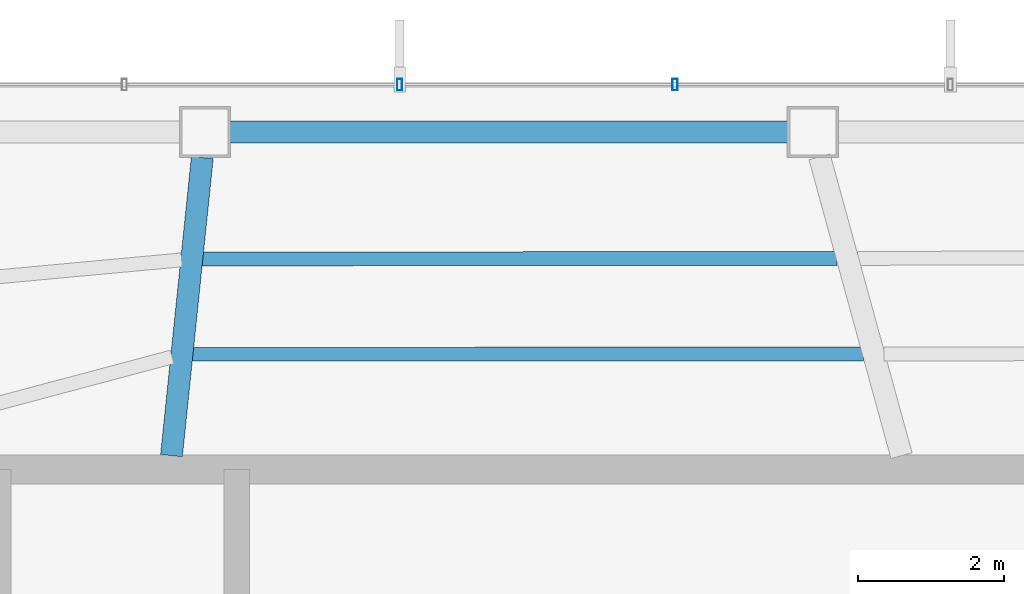
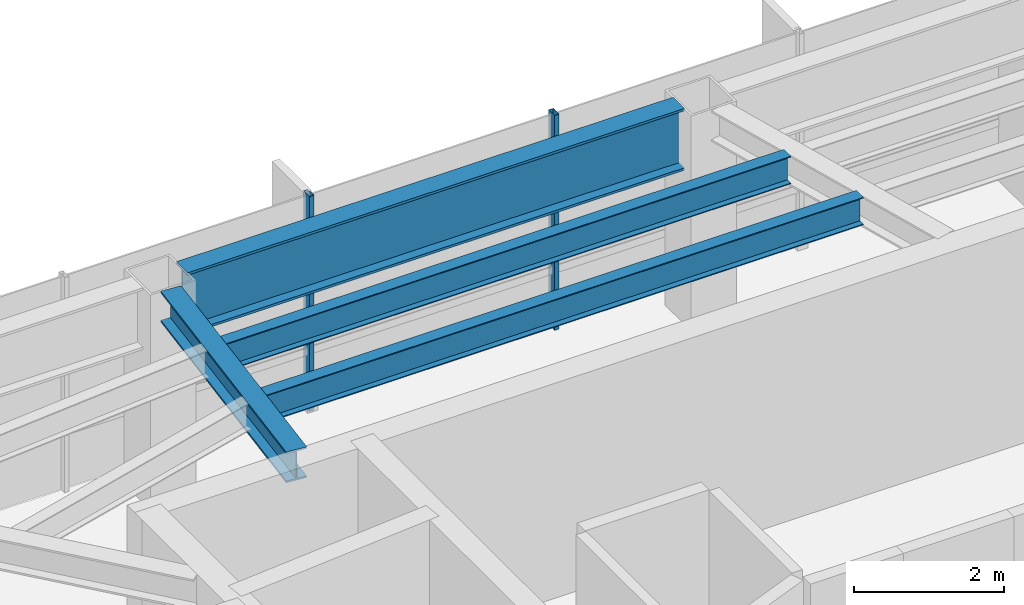
# One storey, part 13 of 27: 4 beams, 2 members, 1 element without a shape of its own.
"""IFC4 building model written with IfcOpenShell, lengths in metres."""

import ifcopenshell
import ifcopenshell.guid

model = None  # the IFC model being written
_history = None  # IfcOwnerHistory: only IFC2X3 demands one
_inside = {}  # id of a spatial element -> (the spatial element, [elements in it])
_under = {}  # id of a project, library or spatial element -> (it, [spatial elements below it])
_declared = {}  # id of a project -> (the project, [libraries it declares])
_typed = {}  # id of a type object -> (the type object, [elements of that type])
_made_of = {}  # id of a material, layer set ... -> (it, [elements and type objects made of it])


def new_model(schema):
    """Start an empty IFC model of exactly this schema.

    Asked for "IFC4X3", IfcOpenShell would pick the latest addendum, in which some entities
    have other attributes; the version numbers below select the first issue.
    IFC2X3 requires an IfcOwnerHistory on every rooted entity: one is made here for all.
    """
    global model, _history
    if schema == "IFC4X3":
        model = ifcopenshell.file(schema_version=(4, 3, 0, 0))
    else:
        model = ifcopenshell.file(schema=schema)
    _inside.clear()
    _under.clear()
    _declared.clear()
    _typed.clear()
    _made_of.clear()
    _history = None
    if model.schema == "IFC2X3":
        org = make("IfcOrganization", Name="unknown")
        user = make(
            "IfcPersonAndOrganization",
            ThePerson=make("IfcPerson", FamilyName="unknown"),
            TheOrganization=org,
        )
        app = make(
            "IfcApplication",
            ApplicationDeveloper=org,
            Version="unknown",
            ApplicationFullName="unknown",
            ApplicationIdentifier="unknown",
        )
        _history = make(
            "IfcOwnerHistory",
            OwningUser=user,
            OwningApplication=app,
            ChangeAction="ADDED",
            CreationDate=0,
        )
    return model


def make(cls, **values):
    """One entity of the class cls with the attributes given. An attribute that is None is left unset."""
    return model.create_entity(
        cls, **{name: value for name, value in values.items() if value is not None}
    )


def rooted(cls, **values):
    """An entity with a GlobalId (a new one), such as an element, a storey or a relation."""
    return make(cls, GlobalId=ifcopenshell.guid.new(), OwnerHistory=_history, **values)


def si_unit(unit_type, name, prefix=None):
    """IfcSIUnit, for example si_unit("LENGTHUNIT", "METRE", prefix="MILLI")."""
    return make("IfcSIUnit", UnitType=unit_type, Prefix=prefix, Name=name)


def assignment(units):
    """IfcUnitAssignment: the units of a project."""
    return None if units is None else make("IfcUnitAssignment", Units=units)


def point(xyz):
    """IfcCartesianPoint."""
    return None if xyz is None else make("IfcCartesianPoint", Coordinates=xyz)


def direction(xyz):
    """IfcDirection."""
    return None if xyz is None else make("IfcDirection", DirectionRatios=xyz)


def frame(location, z_axis=None, x_axis=None):
    """IfcAxis2Placement3D, a coordinate frame: its origin and axes. An axis left out is left unset."""
    return make(
        "IfcAxis2Placement3D",
        Location=point(location),
        Axis=direction(z_axis),
        RefDirection=direction(x_axis),
    )


def frame_2d(location, x_axis=None):
    """IfcAxis2Placement2D, a coordinate frame in the plane: its origin and x axis."""
    return make(
        "IfcAxis2Placement2D", Location=point(location), RefDirection=direction(x_axis)
    )


def origin():
    """The frame at (0, 0, 0) with its axes left unset."""
    return frame((0.0, 0.0, 0.0))


def origin_2d():
    """The frame at (0, 0) in the plane with its x axis left unset."""
    return frame_2d((0.0, 0.0))


def place(relative_to, where):
    """IfcLocalPlacement: puts the frame where relative to a parent placement (None: the world)."""
    return make(
        "IfcLocalPlacement", PlacementRelTo=relative_to, RelativePlacement=where
    )


def context(
    kind, dimensions, precision=None, world=None, true_north=None, identifier=None
):
    """IfcGeometricRepresentationContext, for example the 3D "Model" context."""
    return make(
        "IfcGeometricRepresentationContext",
        ContextIdentifier=identifier,
        ContextType=kind,
        CoordinateSpaceDimension=dimensions,
        Precision=precision,
        WorldCoordinateSystem=world,
        TrueNorth=true_north,
    )


def subcontext(parent, identifier, kind, view, scale=None):
    """IfcGeometricRepresentationSubContext, for example "Body" below "Model"."""
    return make(
        "IfcGeometricRepresentationSubContext",
        ContextIdentifier=identifier,
        ContextType=kind,
        ParentContext=parent,
        TargetScale=scale,
        TargetView=view,
    )


def project(units=None, contexts=None):
    """IfcProject with its units and contexts."""
    return rooted(
        "IfcProject",
        Name="project",
        RepresentationContexts=contexts,
        UnitsInContext=assignment(units),
    )


def spatial(cls, under=None, at=None, **own):
    """A site, building, storey or space (cls), placed at a placement, below another one or the project."""
    s = rooted(cls, ObjectPlacement=at, **own)
    if under is not None:
        _under.setdefault(under.id(), (under, []))[1].append(s)
    return s


def profile(cls, at=None, kind="AREA", **sizes):
    """A parametric profile (cls). Its sizes go by their IFC names, for example OverallWidth=200.0."""
    return make(cls, ProfileType=kind, Position=at, **sizes)


def hollow_rectangle(**sizes):
    """IfcRectangleHollowProfileDef."""
    return profile("IfcRectangleHollowProfileDef", **sizes)


def i_section(**sizes):
    """IfcIShapeProfileDef."""
    return profile("IfcIShapeProfileDef", **sizes)


def extrude(swept, where, along, depth):
    """IfcExtrudedAreaSolid: the profile swept, set in the frame where, extruded along a direction by depth."""
    return make(
        "IfcExtrudedAreaSolid",
        SweptArea=swept,
        Position=where,
        ExtrudedDirection=direction(along),
        Depth=depth,
    )


def shape(context_of_items, identifier, shape_type, items):
    """IfcShapeRepresentation: the items that make up one representation, for example the "Body"."""
    return make(
        "IfcShapeRepresentation",
        ContextOfItems=context_of_items,
        RepresentationIdentifier=identifier,
        RepresentationType=shape_type,
        Items=items,
    )


def material(Name=None, Category=None):
    """IfcMaterial."""
    return make("IfcMaterial", Name=Name, Category=Category)


def layer(
    of_material, thickness, ventilated=None, Name=None, Category=None, Priority=None
):
    """IfcMaterialLayer: one layer of a wall or slab, of a material (None: an air gap)."""
    return make(
        "IfcMaterialLayer",
        Material=of_material,
        LayerThickness=thickness,
        IsVentilated=ventilated,
        Name=Name,
        Category=Category,
        Priority=Priority,
    )


def layer_set(layers, Name=None):
    """IfcMaterialLayerSet."""
    return make("IfcMaterialLayerSet", MaterialLayers=layers, LayerSetName=Name)


def material_profile(
    of_material, cross_section, Name=None, Category=None, Priority=None
):
    """IfcMaterialProfile: a cross section and its material."""
    return make(
        "IfcMaterialProfile",
        Name=Name,
        Material=of_material,
        Profile=cross_section,
        Priority=Priority,
        Category=Category,
    )


def profile_set(profiles, Name=None, composite=None):
    """IfcMaterialProfileSet."""
    return make(
        "IfcMaterialProfileSet",
        Name=Name,
        MaterialProfiles=profiles,
        CompositeProfile=composite,
    )


def made_of(thing, what):
    """Note that an element or type object is made of a material, layer set ...; save() writes the relation."""
    if what is not None:
        _made_of.setdefault(what.id(), (what, []))[1].append(thing)
    return thing


def type_object(cls, material=None, **own):
    """A type object (cls), such as IfcWallType, which elements share."""
    return made_of(rooted(cls, **own), material)


def element(
    cls,
    number,
    at=None,
    inside=None,
    cuts=None,
    type_object=None,
    material=None,
    context=None,
    identifier="Body",
    shape_type=None,
    held_by="IfcProductDefinitionShape",
    body=None,
    shapes=None,
    **own,
):
    """One element of the class cls, such as IfcWall. Its Tag is "e" and its number.

    at: its placement. inside: the storey or other place that contains it. cuts: it is an
    opening in that element (IfcRelVoidsElement). A single representation is given by context,
    identifier, shape_type and body (its items); several are given by shapes. held_by: the class
    of the entity that holds the representations. save() writes the other relations.
    """
    e = rooted(cls, Tag="e%d" % number, ObjectPlacement=at, **own)
    if body is not None:
        shapes = [shape(context, identifier, shape_type, body)]
    if shapes is not None:
        e.Representation = make(held_by, Representations=shapes)
    if inside is not None:
        _inside.setdefault(inside.id(), (inside, []))[1].append(e)
    if cuts is not None:
        rooted(
            "IfcRelVoidsElement", RelatingBuildingElement=cuts, RelatedOpeningElement=e
        )
    if type_object is not None:
        _typed.setdefault(type_object.id(), (type_object, []))[1].append(e)
    return made_of(e, material)


def aggregate(whole, parts):
    """IfcRelAggregates: a whole, such as a stair, and the parts it consists of."""
    return rooted("IfcRelAggregates", RelatingObject=whole, RelatedObjects=parts)


def save(model, path):
    """Write the relations noted so far, then the file.

    IfcRelAggregates (storeys below a building ...), IfcRelContainedInSpatialStructure (elements
    in a storey), IfcRelDefinesByType, IfcRelAssociatesMaterial and IfcRelDeclares: one each for
    every whole, place, type object, material and project.
    """
    for whole, parts in _under.values():
        aggregate(whole, parts)
    for where, things in _inside.values():
        rooted(
            "IfcRelContainedInSpatialStructure",
            RelatedElements=things,
            RelatingStructure=where,
        )
    for kind, things in _typed.values():
        rooted("IfcRelDefinesByType", RelatedObjects=things, RelatingType=kind)
    for what, things in _made_of.values():
        rooted("IfcRelAssociatesMaterial", RelatedObjects=things, RelatingMaterial=what)
    for by, libraries in _declared.values():
        rooted("IfcRelDeclares", RelatingContext=by, RelatedDefinitions=libraries)
    model.write(path)


model = new_model("IFC4")

# Units and contexts
model_context = context("Model", 3, precision=1e-05, world=origin(), true_north=direction((0.0, 1.0)))
body_context = subcontext(model_context, "Body", "Model", "MODEL_VIEW")
ifc_project = project(units=[si_unit("LENGTHUNIT", "METRE"), si_unit("AREAUNIT", "SQUARE_METRE"), si_unit("VOLUMEUNIT", "CUBIC_METRE"), si_unit("PLANEANGLEUNIT", "RADIAN"), si_unit("MASSUNIT", "GRAM", prefix="KILO")], contexts=[model_context])

# Site, building, storey
site_placement = place(None, origin())
site = spatial("IfcSite", under=ifc_project, at=site_placement, CompositionType="ELEMENT")
building_placement = place(site_placement, origin())
building = spatial("IfcBuilding", under=site, at=building_placement, Name="Zarrinselat Tower", CompositionType="ELEMENT")
storey_placement = place(building_placement, frame((0.0, 0.0, 175.780029296875)))
storey = spatial("IfcBuildingStorey", under=building, at=storey_placement, Name="L43", CompositionType="ELEMENT", Elevation=175.780029296875)

# Beams
ifc_material_1 = material(Name="Steel S355J2", Category="steel")
ifc_material_profile_1 = material_profile(ifc_material_1, i_section(OverallWidth=0.300048828125, OverallDepth=0.5, WebThickness=0.014404296875, FlangeThickness=0.028076171875, at=origin_2d()), Name="HEB 500")
ifc_profile_set_1 = profile_set([ifc_material_profile_1], Name="Steel S355J2")
beam_type_1 = type_object("IfcBeamType", Name="BM-HEB500", PredefinedType="BEAM", material=ifc_profile_set_1)
beam_1_placement = place(storey_placement, frame((31.0, 43.639892578125, 3.25), z_axis=(0.102913358087, 0.994690324034, 0.0), x_axis=(-0.994690324034, 0.102913358087, 0.0)))
element("IfcBeam", 1, at=beam_1_placement, inside=storey, type_object=beam_type_1, Name="L43 Radial Primary Girder RG04", PredefinedType="BEAM", context=body_context, shape_type="SweptSolid", body=[
    extrude(i_section(OverallWidth=0.300048828125, OverallDepth=0.5, WebThickness=0.014404296875, FlangeThickness=0.028076171875, at=origin_2d()), origin(), (0.0, 0.0, 1.0), 4.10400390625),
])
ifc_material_2 = material(Name="Steel S460M", Category="steel")
ifc_material_profile_2 = material_profile(ifc_material_2, i_section(OverallWidth=0.302001953125, OverallDepth=1.008056640625, WebThickness=0.02099609375, FlangeThickness=0.0400390625, at=origin_2d()), Name="HEM 1000")
ifc_profile_set_2 = profile_set([ifc_material_profile_2], Name="Steel S460M")
beam_type_2 = type_object("IfcBeamType", Name="BM-HEM1000", PredefinedType="BEAM", material=ifc_profile_set_2)
beam_2_placement = place(storey_placement, frame((31.796630859375, 48.072265625, 2.995849609375), z_axis=(1.0, 0.0, 0.0), x_axis=(0.0, 1.0, 0.0)))
element("IfcBeam", 2, at=beam_2_placement, inside=storey, type_object=beam_type_2, Name="L43 Perimeter Spandrel Girder SP03", PredefinedType="BEAM", context=body_context, shape_type="SweptSolid", body=[
    extrude(i_section(OverallWidth=0.302001953125, OverallDepth=1.008056640625, WebThickness=0.02099609375, FlangeThickness=0.0400390625, at=origin_2d()), origin(), (0.0, 0.0, 1.0), 7.649658203125),
])
ifc_material_3 = material(Name="Steel S355J2", Category="steel")
ifc_material_profile_3 = material_profile(ifc_material_3, i_section(OverallWidth=0.18994140625, OverallDepth=0.449951171875, WebThickness=0.009521484375, FlangeThickness=0.0146484375, at=origin_2d()), Name="IPE 450")
ifc_profile_set_3 = profile_set([ifc_material_profile_3], Name="Steel S355J2")
beam_type_3 = type_object("IfcBeamType", Name="BM-IPE450", PredefinedType="JOIST", material=ifc_profile_set_3)
beam_3_placement = place(storey_placement, frame((31.418701171875, 46.334228515625, 3.27490234375), z_axis=(0.999999691338, 0.000785700013, 0.0), x_axis=(-0.000785700013, 0.999999691338, 0.0)))
element("IfcBeam", 3, at=beam_3_placement, inside=storey, type_object=beam_type_3, Name="L43 Composite Floor Joist 8-1", PredefinedType="JOIST", context=body_context, shape_type="SweptSolid", body=[
    extrude(i_section(OverallWidth=0.18994140625, OverallDepth=0.449951171875, WebThickness=0.009521484375, FlangeThickness=0.0146484375, at=origin_2d()), origin(), (0.0, 0.0, 1.0), 8.700439453125),
])
beam_4_placement = place(storey_placement, frame((31.28369140625, 45.028076171875, 3.27490234375), z_axis=(0.999999930909, 0.000371727445, 0.0), x_axis=(-0.000371727445, 0.999999930909, 0.0)))
element("IfcBeam", 4, at=beam_4_placement, inside=storey, type_object=beam_type_3, Name="L43 Composite Floor Joist 8-2", PredefinedType="JOIST", context=body_context, shape_type="SweptSolid", body=[
    extrude(i_section(OverallWidth=0.18994140625, OverallDepth=0.449951171875, WebThickness=0.009521484375, FlangeThickness=0.0146484375, at=origin_2d()), origin(), (0.0, 0.0, 1.0), 9.19482421875),
])

# Curtain wall, members
ifc_material_4 = material(Name="Extruded Aluminium Alloy EN AW-6063 T6", Category="aluminium")
ifc_layer = layer(ifc_material_4, 0.175048828125)
ifc_layer_set = layer_set([ifc_layer], Name="Extruded Aluminium Alloy EN AW-6063 T6")
curtain_wall_type = type_object("IfcCurtainWallType", Name="CWS-HTL", PredefinedType="NOTDEFINED", material=ifc_layer_set)
curtain_wall_placement = place(storey_placement, origin())
curtain_wall = element("IfcCurtainWall", 5, at=curtain_wall_placement, inside=storey, type_object=curtain_wall_type, Name="L43 Unitised Curtain Wall CW-L43-E01", PredefinedType="NOTDEFINED")
ifc_material_5 = material(Name="Extruded Aluminium Alloy EN AW-6063 T6", Category="aluminium")
ifc_material_profile_4 = material_profile(ifc_material_5, hollow_rectangle(XDim=0.070068359375, YDim=0.159912109375, WallThickness=0.00390625, at=origin_2d()), Name="RHS 160x70x4")
ifc_profile_set_4 = profile_set([ifc_material_profile_4], Name="Extruded Aluminium Alloy EN AW-6063 T6")
member_type = type_object("IfcMemberType", Name="MEM-CW-MUL2", PredefinedType="MULLION", material=ifc_profile_set_4)
member_1_placement = place(storey_placement, frame((37.898193359375, 48.72216796875, 0.0), z_axis=(0.0, 0.0, 1.0), x_axis=(-1.0, 0.0, 0.0)))
member_1 = element("IfcMember", 6, at=member_1_placement, type_object=member_type, Name="CW-L43-E01 Mullion 6", PredefinedType="MULLION", context=body_context, shape_type="SweptSolid", body=[
    extrude(hollow_rectangle(XDim=0.070068359375, YDim=0.159912109375, WallThickness=0.00390625, at=origin_2d()), origin(), (0.0, 0.0, 1.0), 3.5),
])
member_2_placement = place(storey_placement, frame((34.126220703125, 48.72216796875, 0.0), z_axis=(0.0, 0.0, 1.0), x_axis=(-1.0, 0.0, 0.0)))
member_2 = element("IfcMember", 7, at=member_2_placement, type_object=member_type, Name="CW-L43-E01 Mullion 7", PredefinedType="MULLION", context=body_context, shape_type="SweptSolid", body=[
    extrude(hollow_rectangle(XDim=0.070068359375, YDim=0.159912109375, WallThickness=0.00390625, at=origin_2d()), origin(), (0.0, 0.0, 1.0), 3.5),
])
aggregate(curtain_wall, [member_1, member_2])

save(model, "model.ifc")
